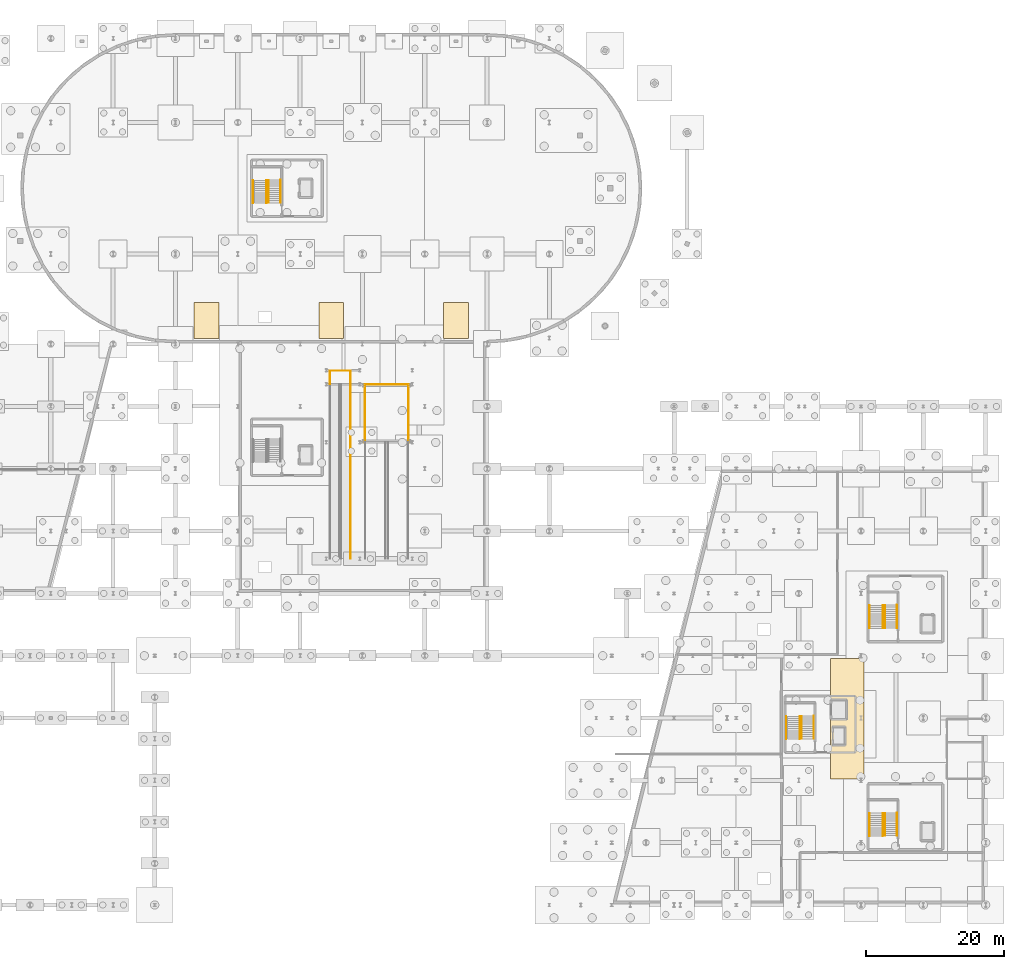
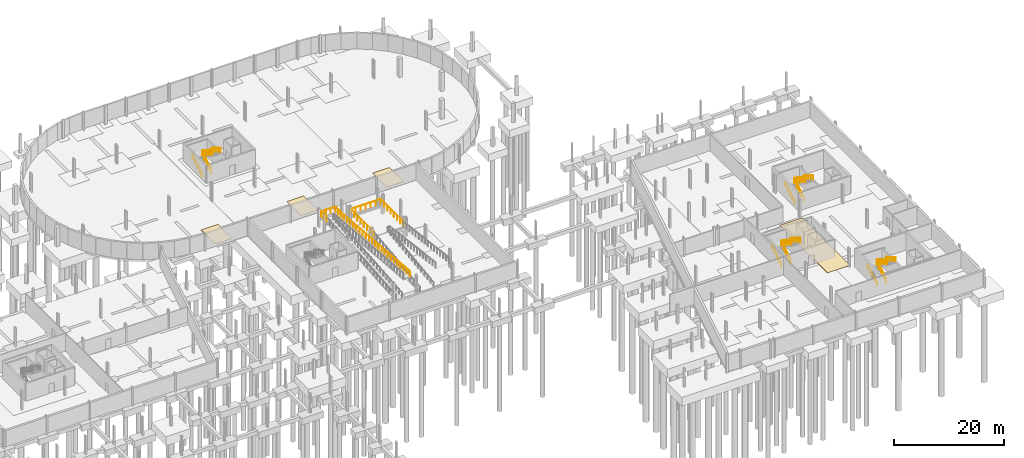
# One storey, part 41 of 42: 15 railings, 4 coverings.
"""IFC4 building model written with IfcOpenShell, lengths in metres."""

from ifc_helpers import new_model, si_unit, direction, frame, origin, origin_2d, place, context, subcontext, project, spatial, polyline, circle, outline, extrude, material, layer, layer_set, type_object, element, save


model = new_model("IFC4")

# Units and contexts
model_context = context("Model", 3, precision=1e-05, world=origin(), true_north=direction((0.0, 1.0)))
body_context = subcontext(model_context, "Body", "Model", "MODEL_VIEW")
ifc_project = project(units=[si_unit("LENGTHUNIT", "METRE"), si_unit("AREAUNIT", "SQUARE_METRE"), si_unit("VOLUMEUNIT", "CUBIC_METRE"), si_unit("PLANEANGLEUNIT", "RADIAN"), si_unit("MASSUNIT", "GRAM", prefix="KILO")], contexts=[model_context])

# Site, building, storey
site_placement = place(None, origin())
site = spatial("IfcSite", under=ifc_project, at=site_placement, CompositionType="ELEMENT")
building_placement = place(site_placement, origin())
building = spatial("IfcBuilding", under=site, at=building_placement, Name="Deido Ridge Mobility Hub", CompositionType="ELEMENT")
storey_placement = place(building_placement, frame((0.0, 0.0, -4.199951171875)))
storey = spatial("IfcBuildingStorey", under=building, at=storey_placement, Name="B1", CompositionType="ELEMENT", Elevation=-4.199951171875)

# Coverings
ifc_material_1 = material(Name="Epoxy terrazzo floor finish")
ifc_layer = layer(ifc_material_1, 0.02001953125, Name="Epoxy terrazzo floor finish")
ifc_layer_set = layer_set([ifc_layer], Name="Epoxy terrazzo floor finish")
covering_type = type_object("IfcCoveringType", Name="COV-FLR-TER-20", PredefinedType="FLOORING", material=ifc_layer_set)
covering_1_placement = place(storey_placement, origin())
element("IfcCovering", 1, at=covering_1_placement, inside=storey, type_object=covering_type, Name="Accessible parking bay marking AB01", PredefinedType="FLOORING", context=body_context, shape_type="SweptSolid", body=[
    extrude(outline(polyline([(65.699951171875, 81.800048828125), (69.300048828125, 81.800048828125), (69.300048828125, 87.0), (65.699951171875, 87.0), (65.699951171875, 81.800048828125)])), origin(), (0.0, 0.0, 1.0), 0.02001953125),
])
covering_2_placement = place(storey_placement, origin())
element("IfcCovering", 2, at=covering_2_placement, inside=storey, type_object=covering_type, Name="Accessible parking bay marking AB02", PredefinedType="FLOORING", context=body_context, shape_type="SweptSolid", body=[
    extrude(outline(polyline([(83.699951171875, 81.800048828125), (87.300048828125, 81.800048828125), (87.300048828125, 87.0), (83.699951171875, 87.0), (83.699951171875, 81.800048828125)])), origin(), (0.0, 0.0, 1.0), 0.02001953125),
])
covering_3_placement = place(storey_placement, origin())
element("IfcCovering", 3, at=covering_3_placement, inside=storey, type_object=covering_type, Name="Accessible parking bay marking AB03", PredefinedType="FLOORING", context=body_context, shape_type="SweptSolid", body=[
    extrude(outline(polyline([(101.699951171875, 81.800048828125), (105.300048828125, 81.800048828125), (105.300048828125, 87.0), (101.699951171875, 87.0), (101.699951171875, 81.800048828125)])), origin(), (0.0, 0.0, 1.0), 0.02001953125),
])
covering_4_placement = place(storey_placement, origin())
element("IfcCovering", 4, at=covering_4_placement, inside=storey, type_object=covering_type, Name="Epoxy terrazzo corridor flooring FC1 (B1)", PredefinedType="FLOORING", context=body_context, shape_type="SweptSolid", body=[
    extrude(outline(polyline([(157.60009765625, 18.199951171875), (162.39990234375, 18.199951171875), (162.39990234375, 35.60009765625), (157.60009765625, 35.60009765625), (157.60009765625, 18.199951171875)])), origin(), (0.0, 0.0, 1.0), 0.02001953125),
])

# Railings
ifc_material_2 = material(Name="Galvanised steel work", Category="steel")
railing_type_1 = type_object("IfcRailingType", Name="RL-GRD-EXT-1150", PredefinedType="GUARDRAIL", material=ifc_material_2)
railing_1_placement = place(storey_placement, frame((90.35009765625, 66.800048828125, 2.099853515625)))
element("IfcRailing", 5, at=railing_1_placement, inside=storey, type_object=railing_type_1, Name="Vehicle ramp landing guard (B1)", PredefinedType="GUARDRAIL", context=body_context, shape_type="SweptSolid", body=[
    extrude(circle(Radius=0.02392578125, at=origin_2d()), frame((0.0, 0.0, 1.1259765625), z_axis=(0.0, 1.0, 0.0), x_axis=(-1.0, 0.0, 0.0)), (0.0, 0.0, 1.0), 8.349853515625),
    extrude(circle(Radius=0.02392578125, at=origin_2d()), frame((0.0, 8.349853515625, 1.1259765625), z_axis=(1.0, 0.0, 0.0), x_axis=(0.0, 1.0, 0.0)), (0.0, 0.0, 1.0), 6.2998046875),
    extrude(circle(Radius=0.02392578125, at=origin_2d()), frame((6.2998046875, 8.349853515625, 1.1259765625), z_axis=(0.0, -1.0, 0.0), x_axis=(1.0, 0.0, 0.0)), (0.0, 0.0, 1.0), 8.349853515625),
    extrude(circle(Radius=0.02099609375, at=origin_2d()), origin(), (0.0, 0.0, 1.0), 1.101806640625),
    extrude(circle(Radius=0.02099609375, at=origin_2d()), frame((0.0, 1.19287109375, 0.0)), (0.0, 0.0, 1.0), 1.101806640625),
    extrude(circle(Radius=0.02099609375, at=origin_2d()), frame((0.0, 2.3857421875, 0.0)), (0.0, 0.0, 1.0), 1.101806640625),
    extrude(circle(Radius=0.02099609375, at=origin_2d()), frame((0.0, 3.57861328125, 0.0)), (0.0, 0.0, 1.0), 1.101806640625),
    extrude(circle(Radius=0.02099609375, at=origin_2d()), frame((0.0, 4.771240234375, 0.0)), (0.0, 0.0, 1.0), 1.101806640625),
    extrude(circle(Radius=0.02099609375, at=origin_2d()), frame((0.0, 5.964111328125, 0.0)), (0.0, 0.0, 1.0), 1.101806640625),
    extrude(circle(Radius=0.02099609375, at=origin_2d()), frame((0.0, 7.156982421875, 0.0)), (0.0, 0.0, 1.0), 1.101806640625),
    extrude(circle(Radius=0.02099609375, at=origin_2d()), frame((0.0, 8.349853515625, 0.0)), (0.0, 0.0, 1.0), 1.101806640625),
    extrude(circle(Radius=0.02099609375, at=origin_2d()), frame((1.050048828125, 8.349853515625, 0.0)), (0.0, 0.0, 1.0), 1.101806640625),
    extrude(circle(Radius=0.02099609375, at=origin_2d()), frame((2.099853515625, 8.349853515625, 0.0)), (0.0, 0.0, 1.0), 1.101806640625),
    extrude(circle(Radius=0.02099609375, at=origin_2d()), frame((3.14990234375, 8.349853515625, 0.0)), (0.0, 0.0, 1.0), 1.101806640625),
    extrude(circle(Radius=0.02099609375, at=origin_2d()), frame((4.199951171875, 8.349853515625, 0.0)), (0.0, 0.0, 1.0), 1.101806640625),
    extrude(circle(Radius=0.02099609375, at=origin_2d()), frame((5.249755859375, 8.349853515625, 0.0)), (0.0, 0.0, 1.0), 1.101806640625),
    extrude(circle(Radius=0.02099609375, at=origin_2d()), frame((6.2998046875, 8.349853515625, 0.0)), (0.0, 0.0, 1.0), 1.101806640625),
    extrude(circle(Radius=0.02099609375, at=origin_2d()), frame((6.2998046875, 7.156982421875, 0.0)), (0.0, 0.0, 1.0), 1.101806640625),
    extrude(circle(Radius=0.02099609375, at=origin_2d()), frame((6.2998046875, 5.964111328125, 0.0)), (0.0, 0.0, 1.0), 1.101806640625),
    extrude(circle(Radius=0.02099609375, at=origin_2d()), frame((6.2998046875, 4.771240234375, 0.0)), (0.0, 0.0, 1.0), 1.101806640625),
    extrude(circle(Radius=0.02099609375, at=origin_2d()), frame((6.2998046875, 3.57861328125, 0.0)), (0.0, 0.0, 1.0), 1.101806640625),
    extrude(circle(Radius=0.02099609375, at=origin_2d()), frame((6.2998046875, 2.3857421875, 0.0)), (0.0, 0.0, 1.0), 1.101806640625),
    extrude(circle(Radius=0.02099609375, at=origin_2d()), frame((6.2998046875, 1.19287109375, 0.0)), (0.0, 0.0, 1.0), 1.101806640625),
    extrude(circle(Radius=0.02099609375, at=origin_2d()), frame((6.2998046875, 0.0, 0.0)), (0.0, 0.0, 1.0), 1.101806640625),
])
railing_2_placement = place(storey_placement, frame((88.280029296875, 75.199951171875, 2.099853515625)))
element("IfcRailing", 6, at=railing_2_placement, inside=storey, type_object=railing_type_1, Name="Cycle ramp F2 guard (B1)", PredefinedType="GUARDRAIL", context=body_context, shape_type="SweptSolid", body=[
    extrude(circle(Radius=0.02392578125, at=origin_2d()), frame((0.0, 0.0, 1.1259765625), z_axis=(0.0, -0.996531733804, 0.083213601784), x_axis=(1.0, 0.0, 0.0)), (0.0, 0.0, 1.0), 25.237548828125),
    extrude(circle(Radius=0.02099609375, at=origin_2d()), origin(), (0.0, 0.0, 1.0), 1.101806640625),
    extrude(circle(Radius=0.02099609375, at=origin_2d()), frame((0.0, -1.14306640625, 0.095458984375)), (0.0, 0.0, 1.0), 1.101806640625),
    extrude(circle(Radius=0.02099609375, at=origin_2d()), frame((0.0, -2.286376953125, 0.19091796875)), (0.0, 0.0, 1.0), 1.101806640625),
    extrude(circle(Radius=0.02099609375, at=origin_2d()), frame((0.0, -3.429443359375, 0.286376953125)), (0.0, 0.0, 1.0), 1.101806640625),
    extrude(circle(Radius=0.02099609375, at=origin_2d()), frame((0.0, -4.57275390625, 0.3818359375)), (0.0, 0.0, 1.0), 1.101806640625),
    extrude(circle(Radius=0.02099609375, at=origin_2d()), frame((0.0, -5.7158203125, 0.477294921875)), (0.0, 0.0, 1.0), 1.101806640625),
    extrude(circle(Radius=0.02099609375, at=origin_2d()), frame((0.0, -6.859130859375, 0.57275390625)), (0.0, 0.0, 1.0), 1.101806640625),
    extrude(circle(Radius=0.02099609375, at=origin_2d()), frame((0.0, -8.002197265625, 0.668212890625)), (0.0, 0.0, 1.0), 1.101806640625),
    extrude(circle(Radius=0.02099609375, at=origin_2d()), frame((0.0, -9.1455078125, 0.763671875)), (0.0, 0.0, 1.0), 1.101806640625),
    extrude(circle(Radius=0.02099609375, at=origin_2d()), frame((0.0, -10.28857421875, 0.859130859375)), (0.0, 0.0, 1.0), 1.101806640625),
    extrude(circle(Radius=0.02099609375, at=origin_2d()), frame((0.0, -11.431884765625, 0.95458984375)), (0.0, 0.0, 1.0), 1.101806640625),
    extrude(circle(Radius=0.02099609375, at=origin_2d()), frame((0.0, -12.574951171875, 1.050048828125)), (0.0, 0.0, 1.0), 1.101806640625),
    extrude(circle(Radius=0.02099609375, at=origin_2d()), frame((0.0, -13.718017578125, 1.1455078125)), (0.0, 0.0, 1.0), 1.101806640625),
    extrude(circle(Radius=0.02099609375, at=origin_2d()), frame((0.0, -14.861328125, 1.240966796875)), (0.0, 0.0, 1.0), 1.101806640625),
    extrude(circle(Radius=0.02099609375, at=origin_2d()), frame((0.0, -16.00439453125, 1.33642578125)), (0.0, 0.0, 1.0), 1.101806640625),
    extrude(circle(Radius=0.02099609375, at=origin_2d()), frame((0.0, -17.147705078125, 1.431884765625)), (0.0, 0.0, 1.0), 1.101806640625),
    extrude(circle(Radius=0.02099609375, at=origin_2d()), frame((0.0, -18.290771484375, 1.52734375)), (0.0, 0.0, 1.0), 1.101806640625),
    extrude(circle(Radius=0.02099609375, at=origin_2d()), frame((0.0, -19.43408203125, 1.622802734375)), (0.0, 0.0, 1.0), 1.101806640625),
    extrude(circle(Radius=0.02099609375, at=origin_2d()), frame((0.0, -20.5771484375, 1.71826171875)), (0.0, 0.0, 1.0), 1.101806640625),
    extrude(circle(Radius=0.02099609375, at=origin_2d()), frame((0.0, -21.720458984375, 1.813720703125)), (0.0, 0.0, 1.0), 1.101806640625),
    extrude(circle(Radius=0.02099609375, at=origin_2d()), frame((0.0, -22.863525390625, 1.9091796875)), (0.0, 0.0, 1.0), 1.101806640625),
    extrude(circle(Radius=0.02099609375, at=origin_2d()), frame((0.0, -24.0068359375, 2.004638671875)), (0.0, 0.0, 1.0), 1.101806640625),
    extrude(circle(Radius=0.02099609375, at=origin_2d()), frame((0.0, -25.14990234375, 2.10009765625)), (0.0, 0.0, 1.0), 1.101806640625),
])
railing_3_placement = place(storey_placement, frame((85.300048828125, 75.199951171875, 2.099853515625)))
element("IfcRailing", 7, at=railing_3_placement, inside=storey, type_object=railing_type_1, Name="Cycle ramp landing guard (B1)", PredefinedType="GUARDRAIL", context=body_context, shape_type="SweptSolid", body=[
    extrude(circle(Radius=0.02392578125, at=origin_2d()), frame((0.0, 0.0, 1.1259765625), z_axis=(0.0, 1.0, 0.0), x_axis=(-1.0, 0.0, 0.0)), (0.0, 0.0, 1.0), 1.949951171875),
    extrude(circle(Radius=0.02392578125, at=origin_2d()), frame((0.0, 1.949951171875, 1.1259765625), z_axis=(1.0, 0.0, 0.0), x_axis=(0.0, 1.0, 0.0)), (0.0, 0.0, 1.0), 3.0),
    extrude(circle(Radius=0.02392578125, at=origin_2d()), frame((3.0, 1.949951171875, 1.1259765625), z_axis=(0.0, -1.0, 0.0), x_axis=(1.0, 0.0, 0.0)), (0.0, 0.0, 1.0), 1.949951171875),
    extrude(circle(Radius=0.02099609375, at=origin_2d()), origin(), (0.0, 0.0, 1.0), 1.101806640625),
    extrude(circle(Radius=0.02099609375, at=origin_2d()), frame((0.0, 0.97509765625, 0.0)), (0.0, 0.0, 1.0), 1.101806640625),
    extrude(circle(Radius=0.02099609375, at=origin_2d()), frame((0.0, 1.949951171875, 0.0)), (0.0, 0.0, 1.0), 1.101806640625),
    extrude(circle(Radius=0.02099609375, at=origin_2d()), frame((1.0, 1.949951171875, 0.0)), (0.0, 0.0, 1.0), 1.101806640625),
    extrude(circle(Radius=0.02099609375, at=origin_2d()), frame((2.0, 1.949951171875, 0.0)), (0.0, 0.0, 1.0), 1.101806640625),
    extrude(circle(Radius=0.02099609375, at=origin_2d()), frame((3.0, 1.949951171875, 0.0)), (0.0, 0.0, 1.0), 1.101806640625),
    extrude(circle(Radius=0.02099609375, at=origin_2d()), frame((3.0, 0.97509765625, 0.0)), (0.0, 0.0, 1.0), 1.101806640625),
    extrude(circle(Radius=0.02099609375, at=origin_2d()), frame((3.0, 0.0, 0.0)), (0.0, 0.0, 1.0), 1.101806640625),
])
railing_type_2 = type_object("IfcRailingType", Name="RL-STAIR-GRD-1150", PredefinedType="GUARDRAIL", material=ifc_material_2)
railing_4_placement = place(storey_placement, frame((165.14990234375, 9.949951171875, 0.175048828125)))
element("IfcRailing", 8, at=railing_4_placement, inside=storey, type_object=railing_type_2, Name="ST1 inner well guard (B1)", PredefinedType="GUARDRAIL", context=body_context, shape_type="SweptSolid", body=[
    extrude(circle(Radius=0.02392578125, at=origin_2d()), frame((0.0, 0.0, 1.1259765625), z_axis=(0.0, 0.863804395585, 0.503827317807), x_axis=(-1.0, 0.0, 0.0)), (0.0, 0.0, 1.0), 3.8203125),
    extrude(circle(Radius=0.02392578125, at=origin_2d()), frame((0.0, 3.300048828125, 3.05078125), z_axis=(1.0, 0.0, 0.0), x_axis=(0.0, 1.0, 0.0)), (0.0, 0.0, 1.0), 0.300048828125),
    extrude(circle(Radius=0.02392578125, at=origin_2d()), frame((0.300048828125, 3.300048828125, 3.05078125), z_axis=(0.0, -0.839905164138, 0.542733189748), x_axis=(1.0, 0.0, 0.0)), (0.0, 0.0, 1.0), 3.869384765625),
    extrude(circle(Radius=0.02099609375, at=origin_2d()), origin(), (0.0, 0.0, 1.0), 1.101806640625),
    extrude(circle(Radius=0.02099609375, at=origin_2d()), frame((0.0, 0.824951171875, 0.481201171875)), (0.0, 0.0, 1.0), 1.101806640625),
    extrude(circle(Radius=0.02099609375, at=origin_2d()), frame((0.0, 1.64990234375, 0.96240234375)), (0.0, 0.0, 1.0), 1.101806640625),
    extrude(circle(Radius=0.02099609375, at=origin_2d()), frame((0.0, 2.47509765625, 1.443603515625)), (0.0, 0.0, 1.0), 1.101806640625),
    extrude(circle(Radius=0.02099609375, at=origin_2d()), frame((0.0, 3.300048828125, 1.9248046875)), (0.0, 0.0, 1.0), 1.101806640625),
    extrude(circle(Radius=0.02099609375, at=origin_2d()), frame((0.300048828125, 3.300048828125, 1.9248046875)), (0.0, 0.0, 1.0), 1.101806640625),
    extrude(circle(Radius=0.02099609375, at=origin_2d()), frame((0.300048828125, 2.487548828125, 2.44970703125)), (0.0, 0.0, 1.0), 1.101806640625),
    extrude(circle(Radius=0.02099609375, at=origin_2d()), frame((0.300048828125, 1.675048828125, 2.974853515625)), (0.0, 0.0, 1.0), 1.101806640625),
    extrude(circle(Radius=0.02099609375, at=origin_2d()), frame((0.300048828125, 0.862548828125, 3.5)), (0.0, 0.0, 1.0), 1.101806640625),
    extrude(circle(Radius=0.02099609375, at=origin_2d()), frame((0.300048828125, 0.050048828125, 4.02490234375)), (0.0, 0.0, 1.0), 1.101806640625),
])
railing_5_placement = place(storey_placement, frame((165.14990234375, 39.949951171875, 0.175048828125)))
element("IfcRailing", 9, at=railing_5_placement, inside=storey, type_object=railing_type_2, Name="ST2 inner well guard (B1)", PredefinedType="GUARDRAIL", context=body_context, shape_type="SweptSolid", body=[
    extrude(circle(Radius=0.02392578125, at=origin_2d()), frame((0.0, 0.0, 1.1259765625), z_axis=(0.0, 0.863804395585, 0.503827317807), x_axis=(-1.0, 0.0, 0.0)), (0.0, 0.0, 1.0), 3.8203125),
    extrude(circle(Radius=0.02392578125, at=origin_2d()), frame((0.0, 3.300048828125, 3.05078125), z_axis=(1.0, 0.0, 0.0), x_axis=(0.0, 1.0, 0.0)), (0.0, 0.0, 1.0), 0.300048828125),
    extrude(circle(Radius=0.02392578125, at=origin_2d()), frame((0.300048828125, 3.300048828125, 3.05078125), z_axis=(0.0, -0.839905164138, 0.542733189748), x_axis=(1.0, 0.0, 0.0)), (0.0, 0.0, 1.0), 3.869384765625),
    extrude(circle(Radius=0.02099609375, at=origin_2d()), origin(), (0.0, 0.0, 1.0), 1.101806640625),
    extrude(circle(Radius=0.02099609375, at=origin_2d()), frame((0.0, 0.824951171875, 0.481201171875)), (0.0, 0.0, 1.0), 1.101806640625),
    extrude(circle(Radius=0.02099609375, at=origin_2d()), frame((0.0, 1.64990234375, 0.96240234375)), (0.0, 0.0, 1.0), 1.101806640625),
    extrude(circle(Radius=0.02099609375, at=origin_2d()), frame((0.0, 2.47509765625, 1.443603515625)), (0.0, 0.0, 1.0), 1.101806640625),
    extrude(circle(Radius=0.02099609375, at=origin_2d()), frame((0.0, 3.300048828125, 1.9248046875)), (0.0, 0.0, 1.0), 1.101806640625),
    extrude(circle(Radius=0.02099609375, at=origin_2d()), frame((0.300048828125, 3.300048828125, 1.9248046875)), (0.0, 0.0, 1.0), 1.101806640625),
    extrude(circle(Radius=0.02099609375, at=origin_2d()), frame((0.300048828125, 2.487548828125, 2.44970703125)), (0.0, 0.0, 1.0), 1.101806640625),
    extrude(circle(Radius=0.02099609375, at=origin_2d()), frame((0.300048828125, 1.675048828125, 2.974853515625)), (0.0, 0.0, 1.0), 1.101806640625),
    extrude(circle(Radius=0.02099609375, at=origin_2d()), frame((0.300048828125, 0.862548828125, 3.5)), (0.0, 0.0, 1.0), 1.101806640625),
    extrude(circle(Radius=0.02099609375, at=origin_2d()), frame((0.300048828125, 0.050048828125, 4.02490234375)), (0.0, 0.0, 1.0), 1.101806640625),
])
railing_6_placement = place(storey_placement, frame((153.14990234375, 23.949951171875, 0.175048828125)))
element("IfcRailing", 10, at=railing_6_placement, inside=storey, type_object=railing_type_2, Name="ST3 inner well guard (B1)", PredefinedType="GUARDRAIL", context=body_context, shape_type="SweptSolid", body=[
    extrude(circle(Radius=0.02392578125, at=origin_2d()), frame((0.0, 0.0, 1.1259765625), z_axis=(0.0, 0.863804395585, 0.503827317807), x_axis=(-1.0, 0.0, 0.0)), (0.0, 0.0, 1.0), 3.8203125),
    extrude(circle(Radius=0.02392578125, at=origin_2d()), frame((0.0, 3.300048828125, 3.05078125), z_axis=(1.0, 0.0, 0.0), x_axis=(0.0, 1.0, 0.0)), (0.0, 0.0, 1.0), 0.300048828125),
    extrude(circle(Radius=0.02392578125, at=origin_2d()), frame((0.300048828125, 3.300048828125, 3.05078125), z_axis=(0.0, -0.839905164138, 0.542733189748), x_axis=(1.0, 0.0, 0.0)), (0.0, 0.0, 1.0), 3.869384765625),
    extrude(circle(Radius=0.02099609375, at=origin_2d()), origin(), (0.0, 0.0, 1.0), 1.101806640625),
    extrude(circle(Radius=0.02099609375, at=origin_2d()), frame((0.0, 0.824951171875, 0.481201171875)), (0.0, 0.0, 1.0), 1.101806640625),
    extrude(circle(Radius=0.02099609375, at=origin_2d()), frame((0.0, 1.64990234375, 0.96240234375)), (0.0, 0.0, 1.0), 1.101806640625),
    extrude(circle(Radius=0.02099609375, at=origin_2d()), frame((0.0, 2.47509765625, 1.443603515625)), (0.0, 0.0, 1.0), 1.101806640625),
    extrude(circle(Radius=0.02099609375, at=origin_2d()), frame((0.0, 3.300048828125, 1.9248046875)), (0.0, 0.0, 1.0), 1.101806640625),
    extrude(circle(Radius=0.02099609375, at=origin_2d()), frame((0.300048828125, 3.300048828125, 1.9248046875)), (0.0, 0.0, 1.0), 1.101806640625),
    extrude(circle(Radius=0.02099609375, at=origin_2d()), frame((0.300048828125, 2.487548828125, 2.44970703125)), (0.0, 0.0, 1.0), 1.101806640625),
    extrude(circle(Radius=0.02099609375, at=origin_2d()), frame((0.300048828125, 1.675048828125, 2.974853515625)), (0.0, 0.0, 1.0), 1.101806640625),
    extrude(circle(Radius=0.02099609375, at=origin_2d()), frame((0.300048828125, 0.862548828125, 3.5)), (0.0, 0.0, 1.0), 1.101806640625),
    extrude(circle(Radius=0.02099609375, at=origin_2d()), frame((0.300048828125, 0.050048828125, 4.02490234375)), (0.0, 0.0, 1.0), 1.101806640625),
])
railing_7_placement = place(storey_placement, frame((76.14990234375, 101.35009765625, 0.175048828125)))
element("IfcRailing", 11, at=railing_7_placement, inside=storey, type_object=railing_type_2, Name="ST5 inner well guard (B1)", PredefinedType="GUARDRAIL", context=body_context, shape_type="SweptSolid", body=[
    extrude(circle(Radius=0.02392578125, at=origin_2d()), frame((0.0, 0.0, 1.1259765625), z_axis=(0.0, 0.863788172461, 0.503855131081), x_axis=(-1.0, 0.0, 0.0)), (0.0, 0.0, 1.0), 3.820068359375),
    extrude(circle(Radius=0.02392578125, at=origin_2d()), frame((0.0, 3.2998046875, 3.05078125), z_axis=(1.0, 0.0, 0.0), x_axis=(0.0, 1.0, 0.0)), (0.0, 0.0, 1.0), 0.300048828125),
    extrude(circle(Radius=0.02392578125, at=origin_2d()), frame((0.300048828125, 3.2998046875, 3.05078125), z_axis=(0.0, -0.839905164138, 0.542733189748), x_axis=(1.0, 0.0, 0.0)), (0.0, 0.0, 1.0), 3.869384765625),
    extrude(circle(Radius=0.02099609375, at=origin_2d()), origin(), (0.0, 0.0, 1.0), 1.101806640625),
    extrude(circle(Radius=0.02099609375, at=origin_2d()), frame((0.0, 0.824951171875, 0.481201171875)), (0.0, 0.0, 1.0), 1.101806640625),
    extrude(circle(Radius=0.02099609375, at=origin_2d()), frame((0.0, 1.64990234375, 0.96240234375)), (0.0, 0.0, 1.0), 1.101806640625),
    extrude(circle(Radius=0.02099609375, at=origin_2d()), frame((0.0, 2.474853515625, 1.443603515625)), (0.0, 0.0, 1.0), 1.101806640625),
    extrude(circle(Radius=0.02099609375, at=origin_2d()), frame((0.0, 3.2998046875, 1.9248046875)), (0.0, 0.0, 1.0), 1.101806640625),
    extrude(circle(Radius=0.02099609375, at=origin_2d()), frame((0.300048828125, 3.2998046875, 1.9248046875)), (0.0, 0.0, 1.0), 1.101806640625),
    extrude(circle(Radius=0.02099609375, at=origin_2d()), frame((0.300048828125, 2.4873046875, 2.44970703125)), (0.0, 0.0, 1.0), 1.101806640625),
    extrude(circle(Radius=0.02099609375, at=origin_2d()), frame((0.300048828125, 1.6748046875, 2.974853515625)), (0.0, 0.0, 1.0), 1.101806640625),
    extrude(circle(Radius=0.02099609375, at=origin_2d()), frame((0.300048828125, 0.8623046875, 3.5)), (0.0, 0.0, 1.0), 1.101806640625),
    extrude(circle(Radius=0.02099609375, at=origin_2d()), frame((0.300048828125, 0.0498046875, 4.02490234375)), (0.0, 0.0, 1.0), 1.101806640625),
])
ifc_material_3 = material(Name="Stainless steel 316", Category="steel")
railing_type_3 = type_object("IfcRailingType", Name="RL-STAIR-HND-900", PredefinedType="HANDRAIL", material=ifc_material_3)
railing_8_placement = place(storey_placement, frame((163.222412109375, 9.949951171875, 0.175048828125)))
element("IfcRailing", 12, at=railing_8_placement, inside=storey, type_object=railing_type_3, Name="ST1 flight 1 handrail (B1)", PredefinedType="HANDRAIL", context=body_context, shape_type="SweptSolid", body=[
    extrude(circle(Radius=0.02392578125, at=origin_2d()), frame((0.0, 0.0, 0.8759765625), z_axis=(0.0, 0.863804395585, 0.503827317807), x_axis=(-1.0, 0.0, 0.0)), (0.0, 0.0, 1.0), 3.8203125),
    extrude(circle(Radius=0.02099609375, at=origin_2d()), origin(), (0.0, 0.0, 1.0), 0.851806640625),
    extrude(circle(Radius=0.02099609375, at=origin_2d()), frame((0.0, 0.824951171875, 0.481201171875)), (0.0, 0.0, 1.0), 0.851806640625),
    extrude(circle(Radius=0.02099609375, at=origin_2d()), frame((0.0, 1.64990234375, 0.96240234375)), (0.0, 0.0, 1.0), 0.851806640625),
    extrude(circle(Radius=0.02099609375, at=origin_2d()), frame((0.0, 2.47509765625, 1.443603515625)), (0.0, 0.0, 1.0), 0.851806640625),
    extrude(circle(Radius=0.02099609375, at=origin_2d()), frame((0.0, 3.300048828125, 1.9248046875)), (0.0, 0.0, 1.0), 0.851806640625),
])
railing_9_placement = place(storey_placement, frame((167.175048828125, 13.300048828125, 2.27490234375)))
element("IfcRailing", 13, at=railing_9_placement, inside=storey, type_object=railing_type_3, Name="ST1 flight 2 handrail (B1)", PredefinedType="HANDRAIL", context=body_context, shape_type="SweptSolid", body=[
    extrude(circle(Radius=0.02392578125, at=origin_2d()), frame((0.0, 0.0, 0.8759765625), z_axis=(0.0, -0.863776583165, 0.503874998761), x_axis=(1.0, 0.0, 0.0)), (0.0, 0.0, 1.0), 3.820556640625),
    extrude(circle(Radius=0.02099609375, at=origin_2d()), origin(), (0.0, 0.0, 1.0), 0.851806640625),
    extrude(circle(Radius=0.02099609375, at=origin_2d()), frame((0.0, -0.824951171875, 0.481201171875)), (0.0, 0.0, 1.0), 0.851806640625),
    extrude(circle(Radius=0.02099609375, at=origin_2d()), frame((0.0, -1.64990234375, 0.96240234375)), (0.0, 0.0, 1.0), 0.851806640625),
    extrude(circle(Radius=0.02099609375, at=origin_2d()), frame((0.0, -2.47509765625, 1.44384765625)), (0.0, 0.0, 1.0), 0.851806640625),
    extrude(circle(Radius=0.02099609375, at=origin_2d()), frame((0.0, -3.300048828125, 1.925048828125)), (0.0, 0.0, 1.0), 0.851806640625),
])
railing_10_placement = place(storey_placement, frame((163.222412109375, 39.949951171875, 0.175048828125)))
element("IfcRailing", 14, at=railing_10_placement, inside=storey, type_object=railing_type_3, Name="ST2 flight 1 handrail (B1)", PredefinedType="HANDRAIL", context=body_context, shape_type="SweptSolid", body=[
    extrude(circle(Radius=0.02392578125, at=origin_2d()), frame((0.0, 0.0, 0.8759765625), z_axis=(0.0, 0.863804395585, 0.503827317807), x_axis=(-1.0, 0.0, 0.0)), (0.0, 0.0, 1.0), 3.8203125),
    extrude(circle(Radius=0.02099609375, at=origin_2d()), origin(), (0.0, 0.0, 1.0), 0.851806640625),
    extrude(circle(Radius=0.02099609375, at=origin_2d()), frame((0.0, 0.824951171875, 0.481201171875)), (0.0, 0.0, 1.0), 0.851806640625),
    extrude(circle(Radius=0.02099609375, at=origin_2d()), frame((0.0, 1.64990234375, 0.96240234375)), (0.0, 0.0, 1.0), 0.851806640625),
    extrude(circle(Radius=0.02099609375, at=origin_2d()), frame((0.0, 2.47509765625, 1.443603515625)), (0.0, 0.0, 1.0), 0.851806640625),
    extrude(circle(Radius=0.02099609375, at=origin_2d()), frame((0.0, 3.300048828125, 1.9248046875)), (0.0, 0.0, 1.0), 0.851806640625),
])
railing_11_placement = place(storey_placement, frame((167.175048828125, 43.300048828125, 2.27490234375)))
element("IfcRailing", 15, at=railing_11_placement, inside=storey, type_object=railing_type_3, Name="ST2 flight 2 handrail (B1)", PredefinedType="HANDRAIL", context=body_context, shape_type="SweptSolid", body=[
    extrude(circle(Radius=0.02392578125, at=origin_2d()), frame((0.0, 0.0, 0.8759765625), z_axis=(0.0, -0.863776583165, 0.503874998761), x_axis=(1.0, 0.0, 0.0)), (0.0, 0.0, 1.0), 3.820556640625),
    extrude(circle(Radius=0.02099609375, at=origin_2d()), origin(), (0.0, 0.0, 1.0), 0.851806640625),
    extrude(circle(Radius=0.02099609375, at=origin_2d()), frame((0.0, -0.824951171875, 0.481201171875)), (0.0, 0.0, 1.0), 0.851806640625),
    extrude(circle(Radius=0.02099609375, at=origin_2d()), frame((0.0, -1.64990234375, 0.96240234375)), (0.0, 0.0, 1.0), 0.851806640625),
    extrude(circle(Radius=0.02099609375, at=origin_2d()), frame((0.0, -2.47509765625, 1.44384765625)), (0.0, 0.0, 1.0), 0.851806640625),
    extrude(circle(Radius=0.02099609375, at=origin_2d()), frame((0.0, -3.300048828125, 1.925048828125)), (0.0, 0.0, 1.0), 0.851806640625),
])
railing_12_placement = place(storey_placement, frame((151.2099609375, 23.949951171875, 0.175048828125)))
element("IfcRailing", 16, at=railing_12_placement, inside=storey, type_object=railing_type_3, Name="ST3 flight 1 handrail (B1)", PredefinedType="HANDRAIL", context=body_context, shape_type="SweptSolid", body=[
    extrude(circle(Radius=0.02392578125, at=origin_2d()), frame((0.0, 0.0, 0.8759765625), z_axis=(0.0, 0.863804395585, 0.503827317807), x_axis=(-1.0, 0.0, 0.0)), (0.0, 0.0, 1.0), 3.8203125),
    extrude(circle(Radius=0.02099609375, at=origin_2d()), origin(), (0.0, 0.0, 1.0), 0.851806640625),
    extrude(circle(Radius=0.02099609375, at=origin_2d()), frame((0.0, 0.824951171875, 0.481201171875)), (0.0, 0.0, 1.0), 0.851806640625),
    extrude(circle(Radius=0.02099609375, at=origin_2d()), frame((0.0, 1.64990234375, 0.96240234375)), (0.0, 0.0, 1.0), 0.851806640625),
    extrude(circle(Radius=0.02099609375, at=origin_2d()), frame((0.0, 2.47509765625, 1.443603515625)), (0.0, 0.0, 1.0), 0.851806640625),
    extrude(circle(Radius=0.02099609375, at=origin_2d()), frame((0.0, 3.300048828125, 1.9248046875)), (0.0, 0.0, 1.0), 0.851806640625),
])
railing_13_placement = place(storey_placement, frame((155.175048828125, 27.300048828125, 2.27490234375)))
element("IfcRailing", 17, at=railing_13_placement, inside=storey, type_object=railing_type_3, Name="ST3 flight 2 handrail (B1)", PredefinedType="HANDRAIL", context=body_context, shape_type="SweptSolid", body=[
    extrude(circle(Radius=0.02392578125, at=origin_2d()), frame((0.0, 0.0, 0.8759765625), z_axis=(0.0, -0.863776583165, 0.503874998761), x_axis=(1.0, 0.0, 0.0)), (0.0, 0.0, 1.0), 3.820556640625),
    extrude(circle(Radius=0.02099609375, at=origin_2d()), origin(), (0.0, 0.0, 1.0), 0.851806640625),
    extrude(circle(Radius=0.02099609375, at=origin_2d()), frame((0.0, -0.824951171875, 0.481201171875)), (0.0, 0.0, 1.0), 0.851806640625),
    extrude(circle(Radius=0.02099609375, at=origin_2d()), frame((0.0, -1.64990234375, 0.96240234375)), (0.0, 0.0, 1.0), 0.851806640625),
    extrude(circle(Radius=0.02099609375, at=origin_2d()), frame((0.0, -2.47509765625, 1.44384765625)), (0.0, 0.0, 1.0), 0.851806640625),
    extrude(circle(Radius=0.02099609375, at=origin_2d()), frame((0.0, -3.300048828125, 1.925048828125)), (0.0, 0.0, 1.0), 0.851806640625),
])
railing_14_placement = place(storey_placement, frame((74.2099609375, 101.35009765625, 0.175048828125)))
element("IfcRailing", 18, at=railing_14_placement, inside=storey, type_object=railing_type_3, Name="ST5 flight 1 handrail (B1)", PredefinedType="HANDRAIL", context=body_context, shape_type="SweptSolid", body=[
    extrude(circle(Radius=0.02392578125, at=origin_2d()), frame((0.0, 0.0, 0.8759765625), z_axis=(0.0, 0.863788172461, 0.503855131081), x_axis=(-1.0, 0.0, 0.0)), (0.0, 0.0, 1.0), 3.820068359375),
    extrude(circle(Radius=0.02099609375, at=origin_2d()), origin(), (0.0, 0.0, 1.0), 0.851806640625),
    extrude(circle(Radius=0.02099609375, at=origin_2d()), frame((0.0, 0.824951171875, 0.481201171875)), (0.0, 0.0, 1.0), 0.851806640625),
    extrude(circle(Radius=0.02099609375, at=origin_2d()), frame((0.0, 1.64990234375, 0.96240234375)), (0.0, 0.0, 1.0), 0.851806640625),
    extrude(circle(Radius=0.02099609375, at=origin_2d()), frame((0.0, 2.474853515625, 1.443603515625)), (0.0, 0.0, 1.0), 0.851806640625),
    extrude(circle(Radius=0.02099609375, at=origin_2d()), frame((0.0, 3.2998046875, 1.9248046875)), (0.0, 0.0, 1.0), 0.851806640625),
])
railing_15_placement = place(storey_placement, frame((78.175048828125, 104.699951171875, 2.27490234375)))
element("IfcRailing", 19, at=railing_15_placement, inside=storey, type_object=railing_type_3, Name="ST5 flight 2 handrail (B1)", PredefinedType="HANDRAIL", context=body_context, shape_type="SweptSolid", body=[
    extrude(circle(Radius=0.02392578125, at=origin_2d()), frame((0.0, 0.0, 0.8759765625), z_axis=(0.0, -0.863776583165, 0.503874998761), x_axis=(1.0, 0.0, 0.0)), (0.0, 0.0, 1.0), 3.820556640625),
    extrude(circle(Radius=0.02099609375, at=origin_2d()), origin(), (0.0, 0.0, 1.0), 0.851806640625),
    extrude(circle(Radius=0.02099609375, at=origin_2d()), frame((0.0, -0.824951171875, 0.481201171875)), (0.0, 0.0, 1.0), 0.851806640625),
    extrude(circle(Radius=0.02099609375, at=origin_2d()), frame((0.0, -1.64990234375, 0.96240234375)), (0.0, 0.0, 1.0), 0.851806640625),
    extrude(circle(Radius=0.02099609375, at=origin_2d()), frame((0.0, -2.47509765625, 1.44384765625)), (0.0, 0.0, 1.0), 0.851806640625),
    extrude(circle(Radius=0.02099609375, at=origin_2d()), frame((0.0, -3.300048828125, 1.925048828125)), (0.0, 0.0, 1.0), 0.851806640625),
])

save(model, "model.ifc")
